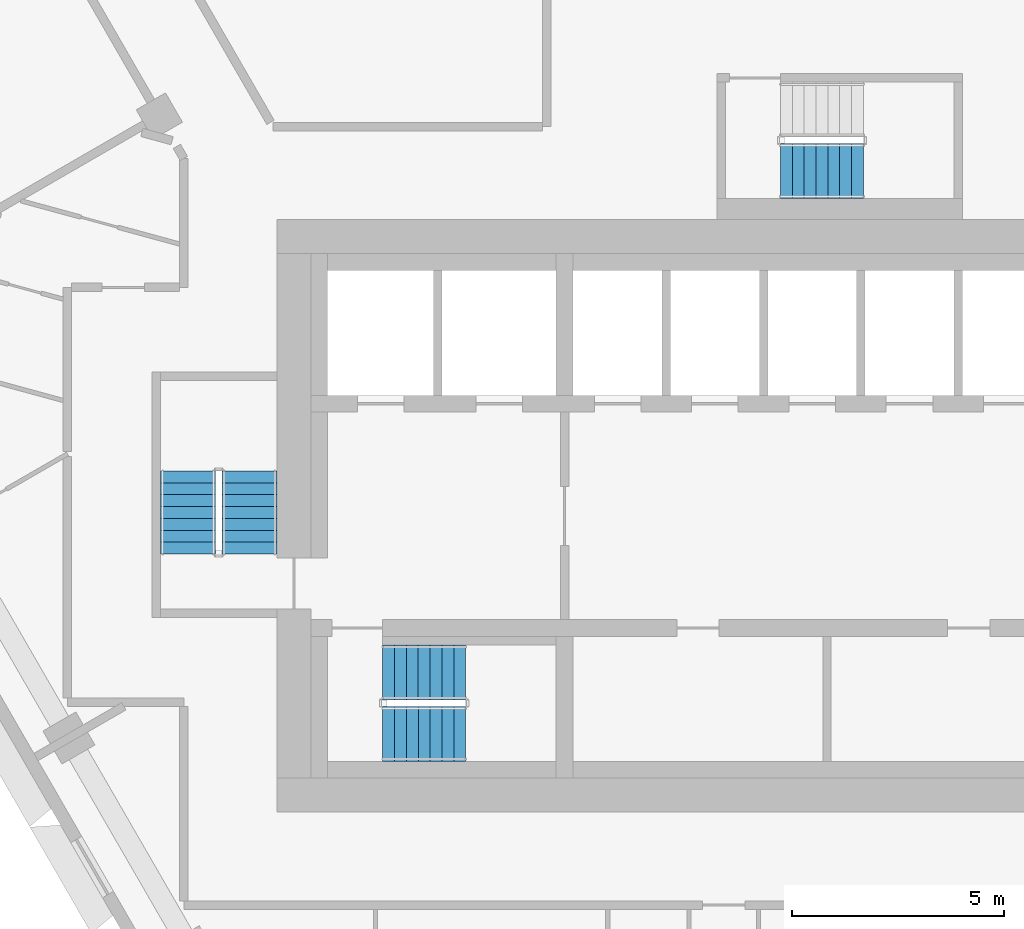
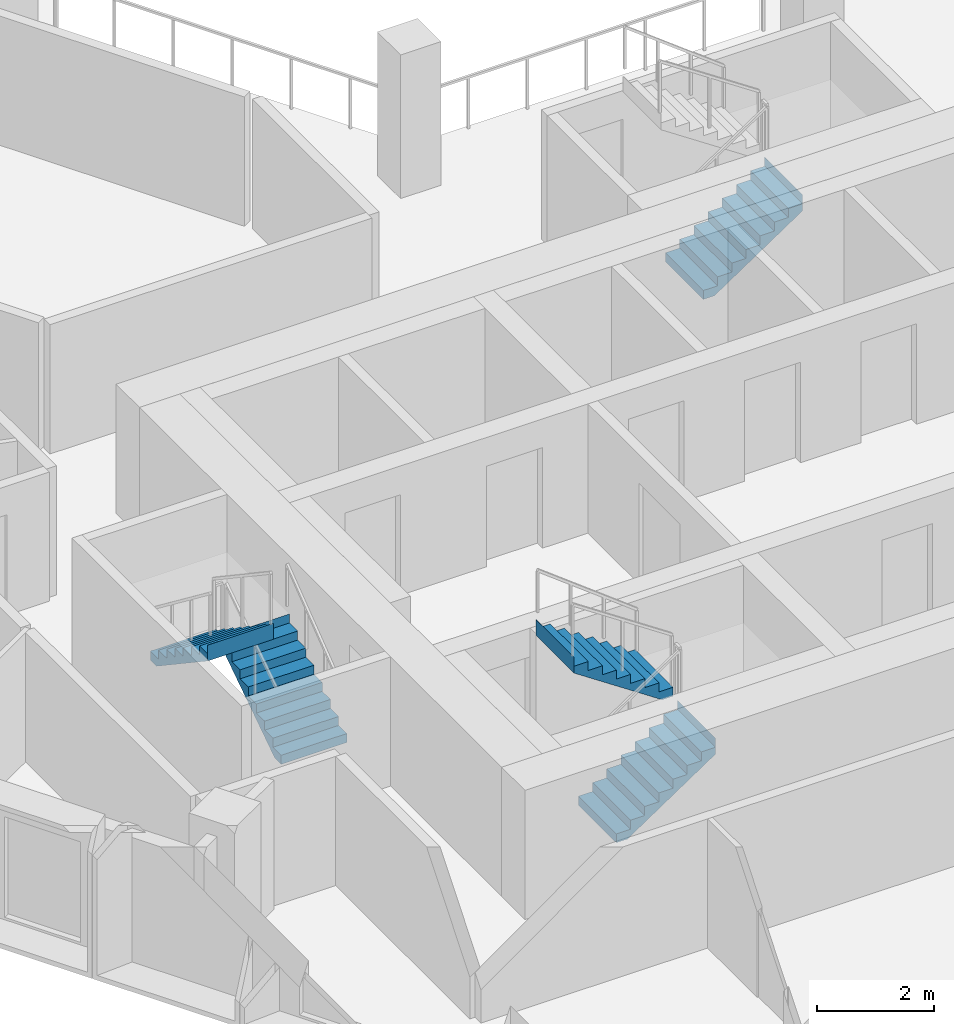
# One storey, part 10 of 15: 5 stair flights, 3 elements without a shape of their own.
"""IFC4 building model written with IfcOpenShell, lengths in metres."""

from ifc_helpers import new_model, si_unit, direction, frame, origin, place, context, subcontext, project, spatial, triangles, material, type_object, element, aggregate, save


model = new_model("IFC4")

# Units and contexts
model_context = context("Model", 3, precision=1e-05, world=origin(), true_north=direction((0.0, 1.0)))
body_context = subcontext(model_context, "Body", "Model", "MODEL_VIEW")
ifc_project = project(units=[si_unit("LENGTHUNIT", "METRE"), si_unit("AREAUNIT", "SQUARE_METRE"), si_unit("VOLUMEUNIT", "CUBIC_METRE"), si_unit("PLANEANGLEUNIT", "RADIAN"), si_unit("MASSUNIT", "GRAM", prefix="KILO")], contexts=[model_context])

# Site, building, storey
site_placement = place(None, origin())
site = spatial("IfcSite", under=ifc_project, at=site_placement, CompositionType="ELEMENT")
building_placement = place(site_placement, origin())
building = spatial("IfcBuilding", under=site, at=building_placement, Name="Beryl Residences", CompositionType="ELEMENT")
storey_placement = place(building_placement, frame((0.0, 0.0, 123.60009765625)))
storey = spatial("IfcBuildingStorey", under=building, at=storey_placement, Name="L37", CompositionType="ELEMENT", Elevation=123.60009765625)

# Stair, stair flights
ifc_material_1 = material(Name="Concrete C40/50", Category="concrete")
stair_type = type_object("IfcStairType", Name="ST1 protected exit stair, half-turn, 1300 mm flights", PredefinedType="HALF_TURN_STAIR", material=ifc_material_1)
stair_1_placement = place(storey_placement, origin())
stair_1 = element("IfcStair", 1, at=stair_1_placement, inside=storey, type_object=stair_type, Name="L37 PROTECTED EXIT STAIR ST-1", PredefinedType="HALF_TURN_STAIR")
ifc_material_2 = material(Name="Concrete C40/50", Category="concrete")
stair_flight_type = type_object("IfcStairFlightType", Name="SF1 stair flight 1300 mm", PredefinedType="STRAIGHT", material=ifc_material_2)
stair_flight_1_placement = place(storey_placement, frame((-10.800048828125, -17.14990234375, 0.0), z_axis=(0.0, 0.0, 1.0), x_axis=(1.0, 0.0, 0.0)))
stair_flight_1 = element("IfcStairFlight", 2, at=stair_flight_1_placement, type_object=stair_flight_type, Name="ST-1 flight 1", NumberOfRisers=8, NumberOfTreads=7, PredefinedType="STRAIGHT", RiserHeight=0.1875, TreadLength=0.28, context=body_context, shape_type="Tessellation", body=[
    triangles([(0.0, -0.64990234375, 0.0), (0.0, -0.324951171875, 0.0), (0.0, 0.0, 0.0), (0.0, 0.324951171875, 0.0), (0.0, 0.64990234375, 0.0), (0.0, -0.64990234375, 0.1875), (0.0, -0.324951171875, 0.1875), (0.0, 0.0, 0.1875), (0.0, 0.324951171875, 0.1875), (0.0, 0.64990234375, 0.1875), (0.280029296875, -0.64990234375, 0.1875), (0.280029296875, -0.324951171875, 0.1875), (0.280029296875, 0.0, 0.1875), (0.280029296875, 0.324951171875, 0.1875), (0.280029296875, 0.64990234375, 0.1875), (0.280029296875, -0.64990234375, 0.375), (0.280029296875, -0.324951171875, 0.375), (0.280029296875, 0.0, 0.375), (0.280029296875, 0.324951171875, 0.375), (0.280029296875, 0.64990234375, 0.375), (0.56005859375, -0.64990234375, 0.375), (0.56005859375, -0.324951171875, 0.375), (0.56005859375, 0.0, 0.375), (0.56005859375, 0.324951171875, 0.375), (0.56005859375, 0.64990234375, 0.375), (0.56005859375, -0.64990234375, 0.5625), (0.56005859375, -0.324951171875, 0.5625), (0.56005859375, 0.0, 0.5625), (0.56005859375, 0.324951171875, 0.5625), (0.56005859375, 0.64990234375, 0.5625), (0.840087890625, -0.64990234375, 0.5625), (0.840087890625, -0.324951171875, 0.5625), (0.840087890625, 0.0, 0.5625), (0.840087890625, 0.324951171875, 0.5625), (0.840087890625, 0.64990234375, 0.5625), (0.840087890625, -0.64990234375, 0.75), (0.840087890625, -0.324951171875, 0.75), (0.840087890625, 0.0, 0.75), (0.840087890625, 0.324951171875, 0.75), (0.840087890625, 0.64990234375, 0.75), (1.1201171875, -0.64990234375, 0.75), (1.1201171875, -0.324951171875, 0.75), (1.1201171875, 0.0, 0.75), (1.1201171875, 0.324951171875, 0.75), (1.1201171875, 0.64990234375, 0.75), (1.1201171875, -0.64990234375, 0.9375), (1.1201171875, -0.324951171875, 0.9375), (1.1201171875, 0.0, 0.9375), (1.1201171875, 0.324951171875, 0.9375), (1.1201171875, 0.64990234375, 0.9375), (1.39990234375, -0.64990234375, 0.9375), (1.39990234375, -0.324951171875, 0.9375), (1.39990234375, 0.0, 0.9375), (1.39990234375, 0.324951171875, 0.9375), (1.39990234375, 0.64990234375, 0.9375), (1.39990234375, -0.64990234375, 1.125), (1.39990234375, -0.324951171875, 1.125), (1.39990234375, 0.0, 1.125), (1.39990234375, 0.324951171875, 1.125), (1.39990234375, 0.64990234375, 1.125), (1.679931640625, -0.64990234375, 1.125), (1.679931640625, -0.324951171875, 1.125), (1.679931640625, 0.0, 1.125), (1.679931640625, 0.324951171875, 1.125), (1.679931640625, 0.64990234375, 1.125), (1.679931640625, -0.64990234375, 1.3125), (1.679931640625, -0.324951171875, 1.3125), (1.679931640625, 0.0, 1.3125), (1.679931640625, 0.324951171875, 1.3125), (1.679931640625, 0.64990234375, 1.3125), (1.9599609375, -0.64990234375, 1.3125), (1.9599609375, -0.324951171875, 1.3125), (1.9599609375, 0.0, 1.3125), (1.9599609375, 0.324951171875, 1.3125), (1.9599609375, 0.64990234375, 1.3125), (1.9599609375, -0.64990234375, 1.5), (1.9599609375, -0.324951171875, 1.5), (1.9599609375, 0.0, 1.5), (1.9599609375, 0.324951171875, 1.5), (1.9599609375, 0.64990234375, 1.5), (1.9609375, -0.64990234375, 1.5), (1.9609375, -0.324951171875, 1.5), (1.9609375, 0.0, 1.5), (1.9609375, 0.324951171875, 1.5), (1.9609375, 0.64990234375, 1.5), (1.9609375, -0.64990234375, 1.16796875), (1.9609375, -0.324951171875, 1.16796875), (1.9609375, 0.0, 1.16796875), (1.9609375, 0.324951171875, 1.16796875), (1.9609375, 0.64990234375, 1.16796875), (0.216796875, -0.64990234375, 0.0), (0.216796875, -0.324951171875, 0.0), (0.216796875, 0.0, 0.0), (0.216796875, 0.324951171875, 0.0), (0.216796875, 0.64990234375, 0.0)], [[1, 6, 7], [1, 7, 2], [2, 7, 8], [2, 8, 3], [3, 8, 9], [3, 9, 4], [4, 9, 10], [4, 10, 5], [6, 11, 12], [6, 12, 7], [7, 12, 13], [7, 13, 8], [8, 13, 14], [8, 14, 9], [9, 14, 15], [9, 15, 10], [11, 16, 17], [11, 17, 12], [12, 17, 18], [12, 18, 13], [13, 18, 19], [13, 19, 14], [14, 19, 20], [14, 20, 15], [16, 21, 22], [16, 22, 17], [17, 22, 23], [17, 23, 18], [18, 23, 24], [18, 24, 19], [19, 24, 25], [19, 25, 20], [21, 26, 27], [21, 27, 22], [22, 27, 28], [22, 28, 23], [23, 28, 29], [23, 29, 24], [24, 29, 30], [24, 30, 25], [26, 31, 32], [26, 32, 27], [27, 32, 33], [27, 33, 28], [28, 33, 34], [28, 34, 29], [29, 34, 35], [29, 35, 30], [31, 36, 37], [31, 37, 32], [32, 37, 38], [32, 38, 33], [33, 38, 39], [33, 39, 34], [34, 39, 40], [34, 40, 35], [36, 41, 42], [36, 42, 37], [37, 42, 43], [37, 43, 38], [38, 43, 44], [38, 44, 39], [39, 44, 45], [39, 45, 40], [41, 46, 47], [41, 47, 42], [42, 47, 48], [42, 48, 43], [43, 48, 49], [43, 49, 44], [44, 49, 50], [44, 50, 45], [46, 51, 52], [46, 52, 47], [47, 52, 53], [47, 53, 48], [48, 53, 54], [48, 54, 49], [49, 54, 55], [49, 55, 50], [51, 56, 57], [51, 57, 52], [52, 57, 58], [52, 58, 53], [53, 58, 59], [53, 59, 54], [54, 59, 60], [54, 60, 55], [56, 61, 62], [56, 62, 57], [57, 62, 63], [57, 63, 58], [58, 63, 64], [58, 64, 59], [59, 64, 65], [59, 65, 60], [61, 66, 67], [61, 67, 62], [62, 67, 68], [62, 68, 63], [63, 68, 69], [63, 69, 64], [64, 69, 70], [64, 70, 65], [66, 71, 72], [66, 72, 67], [67, 72, 73], [67, 73, 68], [68, 73, 74], [68, 74, 69], [69, 74, 75], [69, 75, 70], [71, 76, 77], [71, 77, 72], [72, 77, 78], [72, 78, 73], [73, 78, 79], [73, 79, 74], [74, 79, 80], [74, 80, 75], [76, 81, 82], [76, 82, 77], [77, 82, 83], [77, 83, 78], [78, 83, 84], [78, 84, 79], [79, 84, 85], [79, 85, 80], [81, 86, 87], [81, 87, 82], [82, 87, 88], [82, 88, 83], [83, 88, 89], [83, 89, 84], [84, 89, 90], [84, 90, 85], [86, 91, 92], [86, 92, 87], [87, 92, 93], [87, 93, 88], [88, 93, 94], [88, 94, 89], [89, 94, 95], [89, 95, 90], [91, 1, 2], [91, 2, 92], [92, 2, 3], [92, 3, 93], [93, 3, 4], [93, 4, 94], [94, 4, 5], [94, 5, 95], [1, 91, 86], [5, 90, 95], [86, 81, 76], [90, 80, 85], [86, 76, 71], [90, 75, 80], [86, 71, 66], [90, 70, 75], [86, 66, 61], [90, 65, 70], [61, 56, 51], [65, 55, 60], [86, 61, 51], [90, 55, 65], [51, 46, 41], [55, 45, 50], [86, 51, 41], [90, 45, 55], [41, 36, 31], [45, 35, 40], [86, 41, 31], [90, 35, 45], [31, 26, 21], [35, 25, 30], [86, 31, 21], [90, 25, 35], [21, 16, 11], [25, 15, 20], [86, 21, 11], [90, 15, 25], [1, 86, 11], [5, 15, 90], [11, 6, 1], [15, 5, 10]], closed=True),
])
stair_flight_2_placement = place(storey_placement, frame((-8.840087890625, -15.699951171875, 1.5), z_axis=(0.0, 0.0, 1.0), x_axis=(-1.0, 0.0, 0.0)))
stair_flight_2 = element("IfcStairFlight", 3, at=stair_flight_2_placement, type_object=stair_flight_type, Name="ST-1 flight 2", NumberOfRisers=8, NumberOfTreads=7, PredefinedType="STRAIGHT", RiserHeight=0.1875, TreadLength=0.28, context=body_context, shape_type="Tessellation", body=[
    triangles([(0.0, -0.64990234375, 0.0), (0.0, -0.324951171875, 0.0), (0.0, 0.0, 0.0), (0.0, 0.324951171875, 0.0), (0.0, 0.64990234375, 0.0), (0.0, -0.64990234375, 0.1875), (0.0, -0.324951171875, 0.1875), (0.0, 0.0, 0.1875), (0.0, 0.324951171875, 0.1875), (0.0, 0.64990234375, 0.1875), (0.280029296875, -0.64990234375, 0.1875), (0.280029296875, -0.324951171875, 0.1875), (0.280029296875, 0.0, 0.1875), (0.280029296875, 0.324951171875, 0.1875), (0.280029296875, 0.64990234375, 0.1875), (0.280029296875, -0.64990234375, 0.375), (0.280029296875, -0.324951171875, 0.375), (0.280029296875, 0.0, 0.375), (0.280029296875, 0.324951171875, 0.375), (0.280029296875, 0.64990234375, 0.375), (0.56005859375, -0.64990234375, 0.375), (0.56005859375, -0.324951171875, 0.375), (0.56005859375, 0.0, 0.375), (0.56005859375, 0.324951171875, 0.375), (0.56005859375, 0.64990234375, 0.375), (0.56005859375, -0.64990234375, 0.5625), (0.56005859375, -0.324951171875, 0.5625), (0.56005859375, 0.0, 0.5625), (0.56005859375, 0.324951171875, 0.5625), (0.56005859375, 0.64990234375, 0.5625), (0.840087890625, -0.64990234375, 0.5625), (0.840087890625, -0.324951171875, 0.5625), (0.840087890625, 0.0, 0.5625), (0.840087890625, 0.324951171875, 0.5625), (0.840087890625, 0.64990234375, 0.5625), (0.840087890625, -0.64990234375, 0.75), (0.840087890625, -0.324951171875, 0.75), (0.840087890625, 0.0, 0.75), (0.840087890625, 0.324951171875, 0.75), (0.840087890625, 0.64990234375, 0.75), (1.1201171875, -0.64990234375, 0.75), (1.1201171875, -0.324951171875, 0.75), (1.1201171875, 0.0, 0.75), (1.1201171875, 0.324951171875, 0.75), (1.1201171875, 0.64990234375, 0.75), (1.1201171875, -0.64990234375, 0.9375), (1.1201171875, -0.324951171875, 0.9375), (1.1201171875, 0.0, 0.9375), (1.1201171875, 0.324951171875, 0.9375), (1.1201171875, 0.64990234375, 0.9375), (1.39990234375, -0.64990234375, 0.9375), (1.39990234375, -0.324951171875, 0.9375), (1.39990234375, 0.0, 0.9375), (1.39990234375, 0.324951171875, 0.9375), (1.39990234375, 0.64990234375, 0.9375), (1.39990234375, -0.64990234375, 1.125), (1.39990234375, -0.324951171875, 1.125), (1.39990234375, 0.0, 1.125), (1.39990234375, 0.324951171875, 1.125), (1.39990234375, 0.64990234375, 1.125), (1.679931640625, -0.64990234375, 1.125), (1.679931640625, -0.324951171875, 1.125), (1.679931640625, 0.0, 1.125), (1.679931640625, 0.324951171875, 1.125), (1.679931640625, 0.64990234375, 1.125), (1.679931640625, -0.64990234375, 1.3125), (1.679931640625, -0.324951171875, 1.3125), (1.679931640625, 0.0, 1.3125), (1.679931640625, 0.324951171875, 1.3125), (1.679931640625, 0.64990234375, 1.3125), (1.9599609375, -0.64990234375, 1.3125), (1.9599609375, -0.324951171875, 1.3125), (1.9599609375, 0.0, 1.3125), (1.9599609375, 0.324951171875, 1.3125), (1.9599609375, 0.64990234375, 1.3125), (1.9599609375, -0.64990234375, 1.5), (1.9599609375, -0.324951171875, 1.5), (1.9599609375, 0.0, 1.5), (1.9599609375, 0.324951171875, 1.5), (1.9599609375, 0.64990234375, 1.5), (1.9609375, -0.64990234375, 1.5), (1.9609375, -0.324951171875, 1.5), (1.9609375, 0.0, 1.5), (1.9609375, 0.324951171875, 1.5), (1.9609375, 0.64990234375, 1.5), (1.9609375, -0.64990234375, 1.16796875), (1.9609375, -0.324951171875, 1.16796875), (1.9609375, 0.0, 1.16796875), (1.9609375, 0.324951171875, 1.16796875), (1.9609375, 0.64990234375, 1.16796875), (0.216796875, -0.64990234375, 0.0), (0.216796875, -0.324951171875, 0.0), (0.216796875, 0.0, 0.0), (0.216796875, 0.324951171875, 0.0), (0.216796875, 0.64990234375, 0.0)], [[1, 6, 7], [1, 7, 2], [2, 7, 8], [2, 8, 3], [3, 8, 9], [3, 9, 4], [4, 9, 10], [4, 10, 5], [6, 11, 12], [6, 12, 7], [7, 12, 13], [7, 13, 8], [8, 13, 14], [8, 14, 9], [9, 14, 15], [9, 15, 10], [11, 16, 17], [11, 17, 12], [12, 17, 18], [12, 18, 13], [13, 18, 19], [13, 19, 14], [14, 19, 20], [14, 20, 15], [16, 21, 22], [16, 22, 17], [17, 22, 23], [17, 23, 18], [18, 23, 24], [18, 24, 19], [19, 24, 25], [19, 25, 20], [21, 26, 27], [21, 27, 22], [22, 27, 28], [22, 28, 23], [23, 28, 29], [23, 29, 24], [24, 29, 30], [24, 30, 25], [26, 31, 32], [26, 32, 27], [27, 32, 33], [27, 33, 28], [28, 33, 34], [28, 34, 29], [29, 34, 35], [29, 35, 30], [31, 36, 37], [31, 37, 32], [32, 37, 38], [32, 38, 33], [33, 38, 39], [33, 39, 34], [34, 39, 40], [34, 40, 35], [36, 41, 42], [36, 42, 37], [37, 42, 43], [37, 43, 38], [38, 43, 44], [38, 44, 39], [39, 44, 45], [39, 45, 40], [41, 46, 47], [41, 47, 42], [42, 47, 48], [42, 48, 43], [43, 48, 49], [43, 49, 44], [44, 49, 50], [44, 50, 45], [46, 51, 52], [46, 52, 47], [47, 52, 53], [47, 53, 48], [48, 53, 54], [48, 54, 49], [49, 54, 55], [49, 55, 50], [51, 56, 57], [51, 57, 52], [52, 57, 58], [52, 58, 53], [53, 58, 59], [53, 59, 54], [54, 59, 60], [54, 60, 55], [56, 61, 62], [56, 62, 57], [57, 62, 63], [57, 63, 58], [58, 63, 64], [58, 64, 59], [59, 64, 65], [59, 65, 60], [61, 66, 67], [61, 67, 62], [62, 67, 68], [62, 68, 63], [63, 68, 69], [63, 69, 64], [64, 69, 70], [64, 70, 65], [66, 71, 72], [66, 72, 67], [67, 72, 73], [67, 73, 68], [68, 73, 74], [68, 74, 69], [69, 74, 75], [69, 75, 70], [71, 76, 77], [71, 77, 72], [72, 77, 78], [72, 78, 73], [73, 78, 79], [73, 79, 74], [74, 79, 80], [74, 80, 75], [76, 81, 82], [76, 82, 77], [77, 82, 83], [77, 83, 78], [78, 83, 84], [78, 84, 79], [79, 84, 85], [79, 85, 80], [81, 86, 87], [81, 87, 82], [82, 87, 88], [82, 88, 83], [83, 88, 89], [83, 89, 84], [84, 89, 90], [84, 90, 85], [86, 91, 92], [86, 92, 87], [87, 92, 93], [87, 93, 88], [88, 93, 94], [88, 94, 89], [89, 94, 95], [89, 95, 90], [91, 1, 2], [91, 2, 92], [92, 2, 3], [92, 3, 93], [93, 3, 4], [93, 4, 94], [94, 4, 5], [94, 5, 95], [1, 91, 86], [5, 90, 95], [86, 81, 76], [90, 80, 85], [86, 76, 71], [90, 75, 80], [86, 71, 66], [90, 70, 75], [86, 66, 61], [90, 65, 70], [61, 56, 51], [65, 55, 60], [86, 61, 51], [90, 55, 65], [51, 46, 41], [55, 45, 50], [86, 51, 41], [90, 45, 55], [41, 36, 31], [45, 35, 40], [86, 41, 31], [90, 35, 45], [31, 26, 21], [35, 25, 30], [86, 31, 21], [90, 25, 35], [21, 16, 11], [25, 15, 20], [86, 21, 11], [90, 15, 25], [1, 86, 11], [5, 15, 90], [11, 6, 1], [15, 5, 10]], closed=True),
])
aggregate(stair_1, [stair_flight_1, stair_flight_2])

stair_2_placement = place(storey_placement, origin())
stair_2 = element("IfcStair", 4, at=stair_2_placement, inside=storey, type_object=stair_type, Name="L37 PROTECTED EXIT STAIR ST-2", PredefinedType="HALF_TURN_STAIR")
stair_flight_3_placement = place(storey_placement, frame((-13.949951171875, -12.89990234375, 0.0), z_axis=(0.0, 0.0, 1.0), x_axis=(0.0, 1.0, 0.0)))
stair_flight_3 = element("IfcStairFlight", 5, at=stair_flight_3_placement, type_object=stair_flight_type, Name="ST-2 flight 1", NumberOfRisers=8, NumberOfTreads=7, PredefinedType="STRAIGHT", RiserHeight=0.1875, TreadLength=0.28, context=body_context, shape_type="Tessellation", body=[
    triangles([(0.0, -0.64990234375, 0.0), (0.0, -0.324951171875, 0.0), (0.0, 0.0, 0.0), (0.0, 0.324951171875, 0.0), (0.0, 0.64990234375, 0.0), (0.0, -0.64990234375, 0.1875), (0.0, -0.324951171875, 0.1875), (0.0, 0.0, 0.1875), (0.0, 0.324951171875, 0.1875), (0.0, 0.64990234375, 0.1875), (0.280029296875, -0.64990234375, 0.1875), (0.280029296875, -0.324951171875, 0.1875), (0.280029296875, 0.0, 0.1875), (0.280029296875, 0.324951171875, 0.1875), (0.280029296875, 0.64990234375, 0.1875), (0.280029296875, -0.64990234375, 0.375), (0.280029296875, -0.324951171875, 0.375), (0.280029296875, 0.0, 0.375), (0.280029296875, 0.324951171875, 0.375), (0.280029296875, 0.64990234375, 0.375), (0.56005859375, -0.64990234375, 0.375), (0.56005859375, -0.324951171875, 0.375), (0.56005859375, 0.0, 0.375), (0.56005859375, 0.324951171875, 0.375), (0.56005859375, 0.64990234375, 0.375), (0.56005859375, -0.64990234375, 0.5625), (0.56005859375, -0.324951171875, 0.5625), (0.56005859375, 0.0, 0.5625), (0.56005859375, 0.324951171875, 0.5625), (0.56005859375, 0.64990234375, 0.5625), (0.840087890625, -0.64990234375, 0.5625), (0.840087890625, -0.324951171875, 0.5625), (0.840087890625, 0.0, 0.5625), (0.840087890625, 0.324951171875, 0.5625), (0.840087890625, 0.64990234375, 0.5625), (0.840087890625, -0.64990234375, 0.75), (0.840087890625, -0.324951171875, 0.75), (0.840087890625, 0.0, 0.75), (0.840087890625, 0.324951171875, 0.75), (0.840087890625, 0.64990234375, 0.75), (1.1201171875, -0.64990234375, 0.75), (1.1201171875, -0.324951171875, 0.75), (1.1201171875, 0.0, 0.75), (1.1201171875, 0.324951171875, 0.75), (1.1201171875, 0.64990234375, 0.75), (1.1201171875, -0.64990234375, 0.9375), (1.1201171875, -0.324951171875, 0.9375), (1.1201171875, 0.0, 0.9375), (1.1201171875, 0.324951171875, 0.9375), (1.1201171875, 0.64990234375, 0.9375), (1.39990234375, -0.64990234375, 0.9375), (1.39990234375, -0.324951171875, 0.9375), (1.39990234375, 0.0, 0.9375), (1.39990234375, 0.324951171875, 0.9375), (1.39990234375, 0.64990234375, 0.9375), (1.39990234375, -0.64990234375, 1.125), (1.39990234375, -0.324951171875, 1.125), (1.39990234375, 0.0, 1.125), (1.39990234375, 0.324951171875, 1.125), (1.39990234375, 0.64990234375, 1.125), (1.679931640625, -0.64990234375, 1.125), (1.679931640625, -0.324951171875, 1.125), (1.679931640625, 0.0, 1.125), (1.679931640625, 0.324951171875, 1.125), (1.679931640625, 0.64990234375, 1.125), (1.679931640625, -0.64990234375, 1.3125), (1.679931640625, -0.324951171875, 1.3125), (1.679931640625, 0.0, 1.3125), (1.679931640625, 0.324951171875, 1.3125), (1.679931640625, 0.64990234375, 1.3125), (1.9599609375, -0.64990234375, 1.3125), (1.9599609375, -0.324951171875, 1.3125), (1.9599609375, 0.0, 1.3125), (1.9599609375, 0.324951171875, 1.3125), (1.9599609375, 0.64990234375, 1.3125), (1.9599609375, -0.64990234375, 1.5), (1.9599609375, -0.324951171875, 1.5), (1.9599609375, 0.0, 1.5), (1.9599609375, 0.324951171875, 1.5), (1.9599609375, 0.64990234375, 1.5), (1.9609375, -0.64990234375, 1.5), (1.9609375, -0.324951171875, 1.5), (1.9609375, 0.0, 1.5), (1.9609375, 0.324951171875, 1.5), (1.9609375, 0.64990234375, 1.5), (1.9609375, -0.64990234375, 1.16796875), (1.9609375, -0.324951171875, 1.16796875), (1.9609375, 0.0, 1.16796875), (1.9609375, 0.324951171875, 1.16796875), (1.9609375, 0.64990234375, 1.16796875), (0.216796875, -0.64990234375, 0.0), (0.216796875, -0.324951171875, 0.0), (0.216796875, 0.0, 0.0), (0.216796875, 0.324951171875, 0.0), (0.216796875, 0.64990234375, 0.0)], [[1, 6, 7], [1, 7, 2], [2, 7, 8], [2, 8, 3], [3, 8, 9], [3, 9, 4], [4, 9, 10], [4, 10, 5], [6, 11, 12], [6, 12, 7], [7, 12, 13], [7, 13, 8], [8, 13, 14], [8, 14, 9], [9, 14, 15], [9, 15, 10], [11, 16, 17], [11, 17, 12], [12, 17, 18], [12, 18, 13], [13, 18, 19], [13, 19, 14], [14, 19, 20], [14, 20, 15], [16, 21, 22], [16, 22, 17], [17, 22, 23], [17, 23, 18], [18, 23, 24], [18, 24, 19], [19, 24, 25], [19, 25, 20], [21, 26, 27], [21, 27, 22], [22, 27, 28], [22, 28, 23], [23, 28, 29], [23, 29, 24], [24, 29, 30], [24, 30, 25], [26, 31, 32], [26, 32, 27], [27, 32, 33], [27, 33, 28], [28, 33, 34], [28, 34, 29], [29, 34, 35], [29, 35, 30], [31, 36, 37], [31, 37, 32], [32, 37, 38], [32, 38, 33], [33, 38, 39], [33, 39, 34], [34, 39, 40], [34, 40, 35], [36, 41, 42], [36, 42, 37], [37, 42, 43], [37, 43, 38], [38, 43, 44], [38, 44, 39], [39, 44, 45], [39, 45, 40], [41, 46, 47], [41, 47, 42], [42, 47, 48], [42, 48, 43], [43, 48, 49], [43, 49, 44], [44, 49, 50], [44, 50, 45], [46, 51, 52], [46, 52, 47], [47, 52, 53], [47, 53, 48], [48, 53, 54], [48, 54, 49], [49, 54, 55], [49, 55, 50], [51, 56, 57], [51, 57, 52], [52, 57, 58], [52, 58, 53], [53, 58, 59], [53, 59, 54], [54, 59, 60], [54, 60, 55], [56, 61, 62], [56, 62, 57], [57, 62, 63], [57, 63, 58], [58, 63, 64], [58, 64, 59], [59, 64, 65], [59, 65, 60], [61, 66, 67], [61, 67, 62], [62, 67, 68], [62, 68, 63], [63, 68, 69], [63, 69, 64], [64, 69, 70], [64, 70, 65], [66, 71, 72], [66, 72, 67], [67, 72, 73], [67, 73, 68], [68, 73, 74], [68, 74, 69], [69, 74, 75], [69, 75, 70], [71, 76, 77], [71, 77, 72], [72, 77, 78], [72, 78, 73], [73, 78, 79], [73, 79, 74], [74, 79, 80], [74, 80, 75], [76, 81, 82], [76, 82, 77], [77, 82, 83], [77, 83, 78], [78, 83, 84], [78, 84, 79], [79, 84, 85], [79, 85, 80], [81, 86, 87], [81, 87, 82], [82, 87, 88], [82, 88, 83], [83, 88, 89], [83, 89, 84], [84, 89, 90], [84, 90, 85], [86, 91, 92], [86, 92, 87], [87, 92, 93], [87, 93, 88], [88, 93, 94], [88, 94, 89], [89, 94, 95], [89, 95, 90], [91, 1, 2], [91, 2, 92], [92, 2, 3], [92, 3, 93], [93, 3, 4], [93, 4, 94], [94, 4, 5], [94, 5, 95], [1, 91, 86], [5, 90, 95], [86, 81, 76], [90, 80, 85], [86, 76, 71], [90, 75, 80], [86, 71, 66], [90, 70, 75], [86, 66, 61], [90, 65, 70], [61, 56, 51], [65, 55, 60], [86, 61, 51], [90, 55, 65], [51, 46, 41], [55, 45, 50], [86, 51, 41], [90, 45, 55], [41, 36, 31], [45, 35, 40], [86, 41, 31], [90, 35, 45], [31, 26, 21], [35, 25, 30], [86, 31, 21], [90, 25, 35], [21, 16, 11], [25, 15, 20], [86, 21, 11], [90, 15, 25], [1, 86, 11], [5, 15, 90], [11, 6, 1], [15, 5, 10]], closed=True),
])
stair_flight_4_placement = place(storey_placement, frame((-15.39990234375, -10.93994140625, 1.5), z_axis=(0.0, 0.0, 1.0), x_axis=(0.0, -1.0, 0.0)))
stair_flight_4 = element("IfcStairFlight", 6, at=stair_flight_4_placement, type_object=stair_flight_type, Name="ST-2 flight 2", NumberOfRisers=8, NumberOfTreads=7, PredefinedType="STRAIGHT", RiserHeight=0.1875, TreadLength=0.28, context=body_context, shape_type="Tessellation", body=[
    triangles([(0.0, -0.64990234375, 0.0), (0.0, -0.324951171875, 0.0), (0.0, 0.0, 0.0), (0.0, 0.324951171875, 0.0), (0.0, 0.64990234375, 0.0), (0.0, -0.64990234375, 0.1875), (0.0, -0.324951171875, 0.1875), (0.0, 0.0, 0.1875), (0.0, 0.324951171875, 0.1875), (0.0, 0.64990234375, 0.1875), (0.280029296875, -0.64990234375, 0.1875), (0.280029296875, -0.324951171875, 0.1875), (0.280029296875, 0.0, 0.1875), (0.280029296875, 0.324951171875, 0.1875), (0.280029296875, 0.64990234375, 0.1875), (0.280029296875, -0.64990234375, 0.375), (0.280029296875, -0.324951171875, 0.375), (0.280029296875, 0.0, 0.375), (0.280029296875, 0.324951171875, 0.375), (0.280029296875, 0.64990234375, 0.375), (0.56005859375, -0.64990234375, 0.375), (0.56005859375, -0.324951171875, 0.375), (0.56005859375, 0.0, 0.375), (0.56005859375, 0.324951171875, 0.375), (0.56005859375, 0.64990234375, 0.375), (0.56005859375, -0.64990234375, 0.5625), (0.56005859375, -0.324951171875, 0.5625), (0.56005859375, 0.0, 0.5625), (0.56005859375, 0.324951171875, 0.5625), (0.56005859375, 0.64990234375, 0.5625), (0.840087890625, -0.64990234375, 0.5625), (0.840087890625, -0.324951171875, 0.5625), (0.840087890625, 0.0, 0.5625), (0.840087890625, 0.324951171875, 0.5625), (0.840087890625, 0.64990234375, 0.5625), (0.840087890625, -0.64990234375, 0.75), (0.840087890625, -0.324951171875, 0.75), (0.840087890625, 0.0, 0.75), (0.840087890625, 0.324951171875, 0.75), (0.840087890625, 0.64990234375, 0.75), (1.1201171875, -0.64990234375, 0.75), (1.1201171875, -0.324951171875, 0.75), (1.1201171875, 0.0, 0.75), (1.1201171875, 0.324951171875, 0.75), (1.1201171875, 0.64990234375, 0.75), (1.1201171875, -0.64990234375, 0.9375), (1.1201171875, -0.324951171875, 0.9375), (1.1201171875, 0.0, 0.9375), (1.1201171875, 0.324951171875, 0.9375), (1.1201171875, 0.64990234375, 0.9375), (1.39990234375, -0.64990234375, 0.9375), (1.39990234375, -0.324951171875, 0.9375), (1.39990234375, 0.0, 0.9375), (1.39990234375, 0.324951171875, 0.9375), (1.39990234375, 0.64990234375, 0.9375), (1.39990234375, -0.64990234375, 1.125), (1.39990234375, -0.324951171875, 1.125), (1.39990234375, 0.0, 1.125), (1.39990234375, 0.324951171875, 1.125), (1.39990234375, 0.64990234375, 1.125), (1.679931640625, -0.64990234375, 1.125), (1.679931640625, -0.324951171875, 1.125), (1.679931640625, 0.0, 1.125), (1.679931640625, 0.324951171875, 1.125), (1.679931640625, 0.64990234375, 1.125), (1.679931640625, -0.64990234375, 1.3125), (1.679931640625, -0.324951171875, 1.3125), (1.679931640625, 0.0, 1.3125), (1.679931640625, 0.324951171875, 1.3125), (1.679931640625, 0.64990234375, 1.3125), (1.9599609375, -0.64990234375, 1.3125), (1.9599609375, -0.324951171875, 1.3125), (1.9599609375, 0.0, 1.3125), (1.9599609375, 0.324951171875, 1.3125), (1.9599609375, 0.64990234375, 1.3125), (1.9599609375, -0.64990234375, 1.5), (1.9599609375, -0.324951171875, 1.5), (1.9599609375, 0.0, 1.5), (1.9599609375, 0.324951171875, 1.5), (1.9599609375, 0.64990234375, 1.5), (1.9609375, -0.64990234375, 1.5), (1.9609375, -0.324951171875, 1.5), (1.9609375, 0.0, 1.5), (1.9609375, 0.324951171875, 1.5), (1.9609375, 0.64990234375, 1.5), (1.9609375, -0.64990234375, 1.16796875), (1.9609375, -0.324951171875, 1.16796875), (1.9609375, 0.0, 1.16796875), (1.9609375, 0.324951171875, 1.16796875), (1.9609375, 0.64990234375, 1.16796875), (0.216796875, -0.64990234375, 0.0), (0.216796875, -0.324951171875, 0.0), (0.216796875, 0.0, 0.0), (0.216796875, 0.324951171875, 0.0), (0.216796875, 0.64990234375, 0.0)], [[1, 6, 7], [1, 7, 2], [2, 7, 8], [2, 8, 3], [3, 8, 9], [3, 9, 4], [4, 9, 10], [4, 10, 5], [6, 11, 12], [6, 12, 7], [7, 12, 13], [7, 13, 8], [8, 13, 14], [8, 14, 9], [9, 14, 15], [9, 15, 10], [11, 16, 17], [11, 17, 12], [12, 17, 18], [12, 18, 13], [13, 18, 19], [13, 19, 14], [14, 19, 20], [14, 20, 15], [16, 21, 22], [16, 22, 17], [17, 22, 23], [17, 23, 18], [18, 23, 24], [18, 24, 19], [19, 24, 25], [19, 25, 20], [21, 26, 27], [21, 27, 22], [22, 27, 28], [22, 28, 23], [23, 28, 29], [23, 29, 24], [24, 29, 30], [24, 30, 25], [26, 31, 32], [26, 32, 27], [27, 32, 33], [27, 33, 28], [28, 33, 34], [28, 34, 29], [29, 34, 35], [29, 35, 30], [31, 36, 37], [31, 37, 32], [32, 37, 38], [32, 38, 33], [33, 38, 39], [33, 39, 34], [34, 39, 40], [34, 40, 35], [36, 41, 42], [36, 42, 37], [37, 42, 43], [37, 43, 38], [38, 43, 44], [38, 44, 39], [39, 44, 45], [39, 45, 40], [41, 46, 47], [41, 47, 42], [42, 47, 48], [42, 48, 43], [43, 48, 49], [43, 49, 44], [44, 49, 50], [44, 50, 45], [46, 51, 52], [46, 52, 47], [47, 52, 53], [47, 53, 48], [48, 53, 54], [48, 54, 49], [49, 54, 55], [49, 55, 50], [51, 56, 57], [51, 57, 52], [52, 57, 58], [52, 58, 53], [53, 58, 59], [53, 59, 54], [54, 59, 60], [54, 60, 55], [56, 61, 62], [56, 62, 57], [57, 62, 63], [57, 63, 58], [58, 63, 64], [58, 64, 59], [59, 64, 65], [59, 65, 60], [61, 66, 67], [61, 67, 62], [62, 67, 68], [62, 68, 63], [63, 68, 69], [63, 69, 64], [64, 69, 70], [64, 70, 65], [66, 71, 72], [66, 72, 67], [67, 72, 73], [67, 73, 68], [68, 73, 74], [68, 74, 69], [69, 74, 75], [69, 75, 70], [71, 76, 77], [71, 77, 72], [72, 77, 78], [72, 78, 73], [73, 78, 79], [73, 79, 74], [74, 79, 80], [74, 80, 75], [76, 81, 82], [76, 82, 77], [77, 82, 83], [77, 83, 78], [78, 83, 84], [78, 84, 79], [79, 84, 85], [79, 85, 80], [81, 86, 87], [81, 87, 82], [82, 87, 88], [82, 88, 83], [83, 88, 89], [83, 89, 84], [84, 89, 90], [84, 90, 85], [86, 91, 92], [86, 92, 87], [87, 92, 93], [87, 93, 88], [88, 93, 94], [88, 94, 89], [89, 94, 95], [89, 95, 90], [91, 1, 2], [91, 2, 92], [92, 2, 3], [92, 3, 93], [93, 3, 4], [93, 4, 94], [94, 4, 5], [94, 5, 95], [1, 91, 86], [5, 90, 95], [86, 81, 76], [90, 80, 85], [86, 76, 71], [90, 75, 80], [86, 71, 66], [90, 70, 75], [86, 66, 61], [90, 65, 70], [61, 56, 51], [65, 55, 60], [86, 61, 51], [90, 55, 65], [51, 46, 41], [55, 45, 50], [86, 51, 41], [90, 45, 55], [41, 36, 31], [45, 35, 40], [86, 41, 31], [90, 35, 45], [31, 26, 21], [35, 25, 30], [86, 31, 21], [90, 25, 35], [21, 16, 11], [25, 15, 20], [86, 21, 11], [90, 15, 25], [1, 86, 11], [5, 15, 90], [11, 6, 1], [15, 5, 10]], closed=True),
])
aggregate(stair_2, [stair_flight_3, stair_flight_4])

# Stair, stair flight
stair_3_placement = place(storey_placement, origin())
stair_3 = element("IfcStair", 7, at=stair_3_placement, inside=storey, type_object=stair_type, Name="L37 PROTECTED EXIT STAIR ST-4", PredefinedType="HALF_TURN_STAIR")
stair_flight_5_placement = place(storey_placement, frame((-1.39990234375, -3.85009765625, 0.0), z_axis=(0.0, 0.0, 1.0), x_axis=(1.0, 0.0, 0.0)))
stair_flight_5 = element("IfcStairFlight", 8, at=stair_flight_5_placement, type_object=stair_flight_type, Name="ST-4 flight 1", NumberOfRisers=8, NumberOfTreads=7, PredefinedType="STRAIGHT", RiserHeight=0.1875, TreadLength=0.28, context=body_context, shape_type="Tessellation", body=[
    triangles([(0.0, -0.64990234375, 0.0), (0.0, -0.324951171875, 0.0), (0.0, 0.0, 0.0), (0.0, 0.324951171875, 0.0), (0.0, 0.64990234375, 0.0), (0.0, -0.64990234375, 0.1875), (0.0, -0.324951171875, 0.1875), (0.0, 0.0, 0.1875), (0.0, 0.324951171875, 0.1875), (0.0, 0.64990234375, 0.1875), (0.280029296875, -0.64990234375, 0.1875), (0.280029296875, -0.324951171875, 0.1875), (0.280029296875, 0.0, 0.1875), (0.280029296875, 0.324951171875, 0.1875), (0.280029296875, 0.64990234375, 0.1875), (0.280029296875, -0.64990234375, 0.375), (0.280029296875, -0.324951171875, 0.375), (0.280029296875, 0.0, 0.375), (0.280029296875, 0.324951171875, 0.375), (0.280029296875, 0.64990234375, 0.375), (0.56005859375, -0.64990234375, 0.375), (0.56005859375, -0.324951171875, 0.375), (0.56005859375, 0.0, 0.375), (0.56005859375, 0.324951171875, 0.375), (0.56005859375, 0.64990234375, 0.375), (0.56005859375, -0.64990234375, 0.5625), (0.56005859375, -0.324951171875, 0.5625), (0.56005859375, 0.0, 0.5625), (0.56005859375, 0.324951171875, 0.5625), (0.56005859375, 0.64990234375, 0.5625), (0.840087890625, -0.64990234375, 0.5625), (0.840087890625, -0.324951171875, 0.5625), (0.840087890625, 0.0, 0.5625), (0.840087890625, 0.324951171875, 0.5625), (0.840087890625, 0.64990234375, 0.5625), (0.840087890625, -0.64990234375, 0.75), (0.840087890625, -0.324951171875, 0.75), (0.840087890625, 0.0, 0.75), (0.840087890625, 0.324951171875, 0.75), (0.840087890625, 0.64990234375, 0.75), (1.1201171875, -0.64990234375, 0.75), (1.1201171875, -0.324951171875, 0.75), (1.1201171875, 0.0, 0.75), (1.1201171875, 0.324951171875, 0.75), (1.1201171875, 0.64990234375, 0.75), (1.1201171875, -0.64990234375, 0.9375), (1.1201171875, -0.324951171875, 0.9375), (1.1201171875, 0.0, 0.9375), (1.1201171875, 0.324951171875, 0.9375), (1.1201171875, 0.64990234375, 0.9375), (1.39990234375, -0.64990234375, 0.9375), (1.39990234375, -0.324951171875, 0.9375), (1.39990234375, 0.0, 0.9375), (1.39990234375, 0.324951171875, 0.9375), (1.39990234375, 0.64990234375, 0.9375), (1.39990234375, -0.64990234375, 1.125), (1.39990234375, -0.324951171875, 1.125), (1.39990234375, 0.0, 1.125), (1.39990234375, 0.324951171875, 1.125), (1.39990234375, 0.64990234375, 1.125), (1.679931640625, -0.64990234375, 1.125), (1.679931640625, -0.324951171875, 1.125), (1.679931640625, 0.0, 1.125), (1.679931640625, 0.324951171875, 1.125), (1.679931640625, 0.64990234375, 1.125), (1.679931640625, -0.64990234375, 1.3125), (1.679931640625, -0.324951171875, 1.3125), (1.679931640625, 0.0, 1.3125), (1.679931640625, 0.324951171875, 1.3125), (1.679931640625, 0.64990234375, 1.3125), (1.9599609375, -0.64990234375, 1.3125), (1.9599609375, -0.324951171875, 1.3125), (1.9599609375, 0.0, 1.3125), (1.9599609375, 0.324951171875, 1.3125), (1.9599609375, 0.64990234375, 1.3125), (1.9599609375, -0.64990234375, 1.5), (1.9599609375, -0.324951171875, 1.5), (1.9599609375, 0.0, 1.5), (1.9599609375, 0.324951171875, 1.5), (1.9599609375, 0.64990234375, 1.5), (1.9609375, -0.64990234375, 1.5), (1.9609375, -0.324951171875, 1.5), (1.9609375, 0.0, 1.5), (1.9609375, 0.324951171875, 1.5), (1.9609375, 0.64990234375, 1.5), (1.9609375, -0.64990234375, 1.16796875), (1.9609375, -0.324951171875, 1.16796875), (1.9609375, 0.0, 1.16796875), (1.9609375, 0.324951171875, 1.16796875), (1.9609375, 0.64990234375, 1.16796875), (0.216796875, -0.64990234375, 0.0), (0.216796875, -0.324951171875, 0.0), (0.216796875, 0.0, 0.0), (0.216796875, 0.324951171875, 0.0), (0.216796875, 0.64990234375, 0.0)], [[1, 6, 7], [1, 7, 2], [2, 7, 8], [2, 8, 3], [3, 8, 9], [3, 9, 4], [4, 9, 10], [4, 10, 5], [6, 11, 12], [6, 12, 7], [7, 12, 13], [7, 13, 8], [8, 13, 14], [8, 14, 9], [9, 14, 15], [9, 15, 10], [11, 16, 17], [11, 17, 12], [12, 17, 18], [12, 18, 13], [13, 18, 19], [13, 19, 14], [14, 19, 20], [14, 20, 15], [16, 21, 22], [16, 22, 17], [17, 22, 23], [17, 23, 18], [18, 23, 24], [18, 24, 19], [19, 24, 25], [19, 25, 20], [21, 26, 27], [21, 27, 22], [22, 27, 28], [22, 28, 23], [23, 28, 29], [23, 29, 24], [24, 29, 30], [24, 30, 25], [26, 31, 32], [26, 32, 27], [27, 32, 33], [27, 33, 28], [28, 33, 34], [28, 34, 29], [29, 34, 35], [29, 35, 30], [31, 36, 37], [31, 37, 32], [32, 37, 38], [32, 38, 33], [33, 38, 39], [33, 39, 34], [34, 39, 40], [34, 40, 35], [36, 41, 42], [36, 42, 37], [37, 42, 43], [37, 43, 38], [38, 43, 44], [38, 44, 39], [39, 44, 45], [39, 45, 40], [41, 46, 47], [41, 47, 42], [42, 47, 48], [42, 48, 43], [43, 48, 49], [43, 49, 44], [44, 49, 50], [44, 50, 45], [46, 51, 52], [46, 52, 47], [47, 52, 53], [47, 53, 48], [48, 53, 54], [48, 54, 49], [49, 54, 55], [49, 55, 50], [51, 56, 57], [51, 57, 52], [52, 57, 58], [52, 58, 53], [53, 58, 59], [53, 59, 54], [54, 59, 60], [54, 60, 55], [56, 61, 62], [56, 62, 57], [57, 62, 63], [57, 63, 58], [58, 63, 64], [58, 64, 59], [59, 64, 65], [59, 65, 60], [61, 66, 67], [61, 67, 62], [62, 67, 68], [62, 68, 63], [63, 68, 69], [63, 69, 64], [64, 69, 70], [64, 70, 65], [66, 71, 72], [66, 72, 67], [67, 72, 73], [67, 73, 68], [68, 73, 74], [68, 74, 69], [69, 74, 75], [69, 75, 70], [71, 76, 77], [71, 77, 72], [72, 77, 78], [72, 78, 73], [73, 78, 79], [73, 79, 74], [74, 79, 80], [74, 80, 75], [76, 81, 82], [76, 82, 77], [77, 82, 83], [77, 83, 78], [78, 83, 84], [78, 84, 79], [79, 84, 85], [79, 85, 80], [81, 86, 87], [81, 87, 82], [82, 87, 88], [82, 88, 83], [83, 88, 89], [83, 89, 84], [84, 89, 90], [84, 90, 85], [86, 91, 92], [86, 92, 87], [87, 92, 93], [87, 93, 88], [88, 93, 94], [88, 94, 89], [89, 94, 95], [89, 95, 90], [91, 1, 2], [91, 2, 92], [92, 2, 3], [92, 3, 93], [93, 3, 4], [93, 4, 94], [94, 4, 5], [94, 5, 95], [1, 91, 86], [5, 90, 95], [86, 81, 76], [90, 80, 85], [86, 76, 71], [90, 75, 80], [86, 71, 66], [90, 70, 75], [86, 66, 61], [90, 65, 70], [61, 56, 51], [65, 55, 60], [86, 61, 51], [90, 55, 65], [51, 46, 41], [55, 45, 50], [86, 51, 41], [90, 45, 55], [41, 36, 31], [45, 35, 40], [86, 41, 31], [90, 35, 45], [31, 26, 21], [35, 25, 30], [86, 31, 21], [90, 25, 35], [21, 16, 11], [25, 15, 20], [86, 21, 11], [90, 15, 25], [1, 86, 11], [5, 15, 90], [11, 6, 1], [15, 5, 10]], closed=True),
])
aggregate(stair_3, [stair_flight_5])

save(model, "model.ifc")
